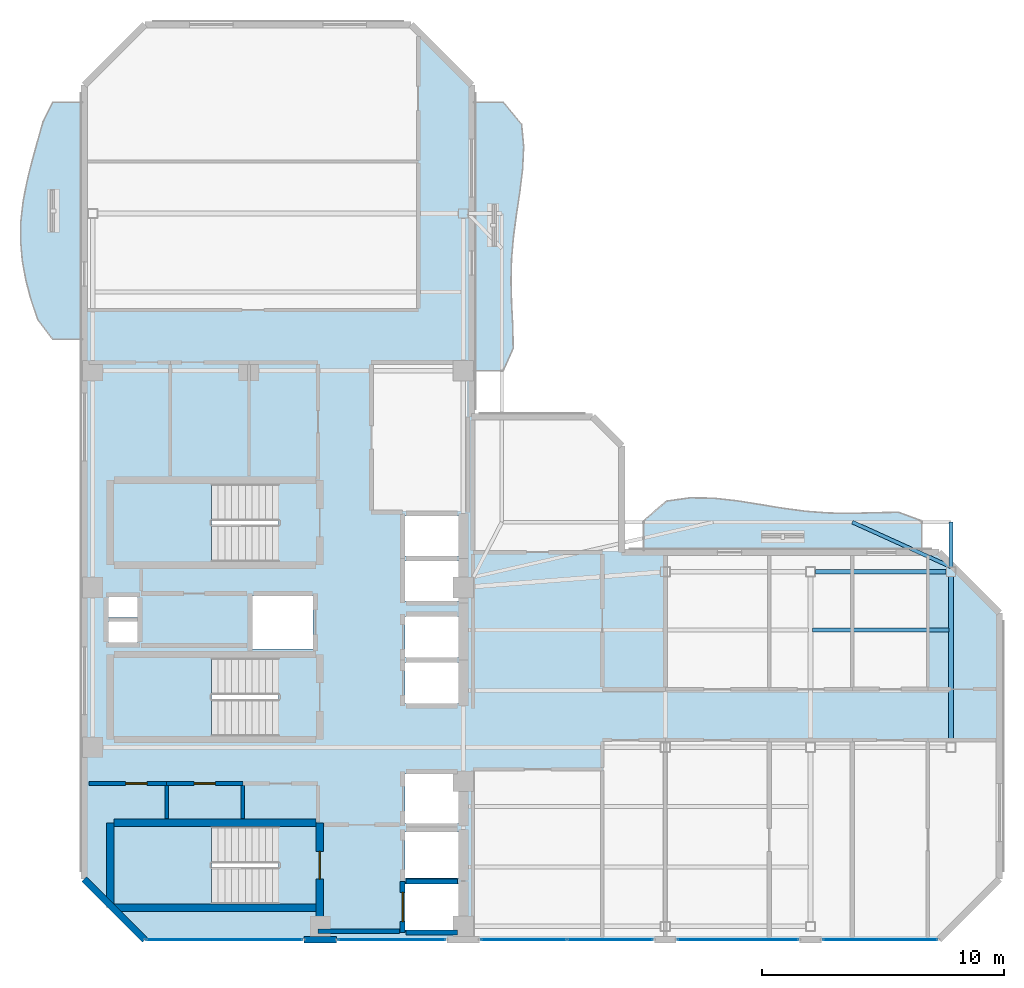
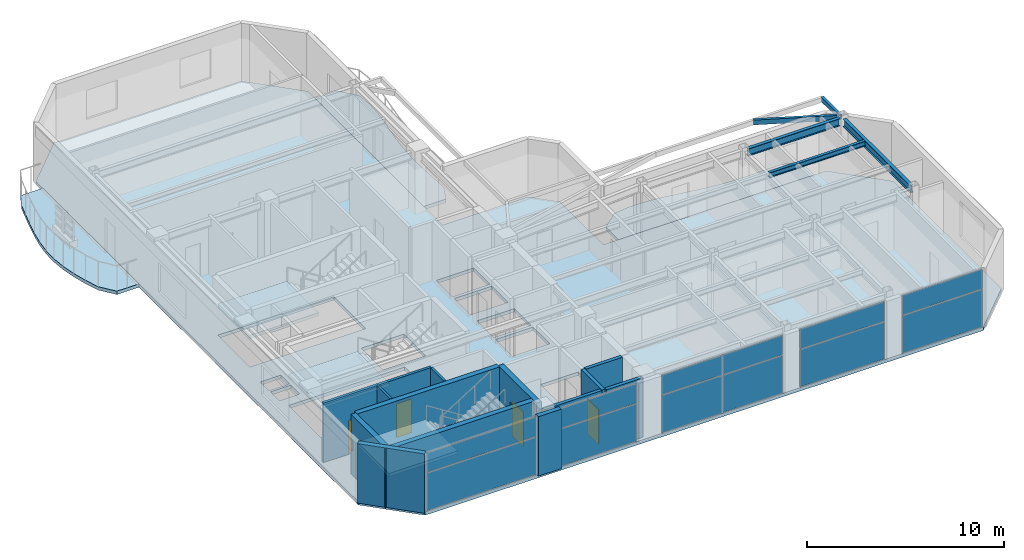
# One storey, part 8 of 15: 14 walls, 12 plates, 7 slabs, 5 beams, 4 doors, 4 openings, 8 elements without a shape of their own.
"""IFC4 building model written with IfcOpenShell, lengths in metres."""

from ifc_helpers import new_model, si_unit, direction, frame, frame_2d, origin, origin_2d, place, context, subcontext, project, spatial, polyline, rectangle, hollow_rectangle, i_section, outline, extrude, material, layer, layer_set, material_profile, profile_set, type_object, element, fill, aggregate, save


model = new_model("IFC4")

# Units and contexts
model_context = context("Model", 3, precision=1e-05, world=origin(), true_north=direction((0.0, 1.0)))
body_context = subcontext(model_context, "Body", "Model", "MODEL_VIEW")
ifc_project = project(units=[si_unit("LENGTHUNIT", "METRE"), si_unit("AREAUNIT", "SQUARE_METRE"), si_unit("VOLUMEUNIT", "CUBIC_METRE"), si_unit("PLANEANGLEUNIT", "RADIAN"), si_unit("MASSUNIT", "GRAM", prefix="KILO")], contexts=[model_context])

# Site, building, storey
site_placement = place(None, origin())
site = spatial("IfcSite", under=ifc_project, at=site_placement, CompositionType="ELEMENT")
building_placement = place(site_placement, origin())
building = spatial("IfcBuilding", under=site, at=building_placement, Name="Mawjaban Terraces University", CompositionType="ELEMENT")
storey_placement = place(building_placement, frame((0.0, 0.0, 279.39990234375)))
storey = spatial("IfcBuildingStorey", under=building, at=storey_placement, Name="L68", CompositionType="ELEMENT", Elevation=279.39990234375)

# Beams
ifc_material_1 = material(Name="Steel EN 10210-1 S355J2H", Category="steel")
ifc_material_profile_1 = material_profile(ifc_material_1, hollow_rectangle(XDim=0.14990234375, YDim=0.300048828125, WallThickness=0.012451171875, at=origin_2d()), Name="RHS300X150X12.5")
ifc_profile_set_1 = profile_set([ifc_material_profile_1], Name="Steel EN 10210-1 S355J2H")
beam_type_1 = type_object("IfcBeamType", Name="BalconyCantileverSpandrel_RHS", PredefinedType="SPANDREL", material=ifc_profile_set_1)
beam_1_placement = place(storey_placement, frame((57.800048828125, 15.39990234375, 3.5400390625), z_axis=(0.0, 1.0, 0.0), x_axis=(-1.0, 0.0, 0.0)))
element("IfcBeam", 1, at=beam_1_placement, inside=storey, type_object=beam_type_1, Name="L68 Exterior Outrigger BAL-L69-N.2", PredefinedType="SPANDREL", context=body_context, shape_type="SweptSolid", body=[
    extrude(hollow_rectangle(XDim=0.14990234375, YDim=0.300048828125, WallThickness=0.012451171875, at=origin_2d()), origin(), (0.0, 0.0, 1.0), 1.85009765625),
])
beam_2_placement = place(storey_placement, frame((57.800048828125, 15.39990234375, 3.5400390625), z_axis=(-0.910547611438, 0.413404217811, 0.0), x_axis=(-0.413404217811, -0.910547611438, 0.0)))
element("IfcBeam", 2, at=beam_2_placement, inside=storey, type_object=beam_type_1, Name="L68 Exterior Diagonal Strut BAL-L69-N.2", PredefinedType="SPANDREL", context=body_context, shape_type="SweptSolid", body=[
    extrude(hollow_rectangle(XDim=0.14990234375, YDim=0.300048828125, WallThickness=0.012451171875, at=origin_2d()), origin(), (0.0, 0.0, 1.0), 4.475341796875),
])
ifc_material_2 = material(Name="Steel ASTM A572 Grade 50", Category="steel")
ifc_material_profile_2 = material_profile(ifc_material_2, i_section(OverallWidth=0.194091796875, OverallDepth=0.468994140625, WebThickness=0.011474609375, FlangeThickness=0.0205078125, at=origin_2d()), Name="W460X106")
ifc_profile_set_2 = profile_set([ifc_material_profile_2], Name="Steel ASTM A572 Grade 50")
beam_type_2 = type_object("IfcBeamType", Name="Beam_B_W460X106", PredefinedType="BEAM", material=ifc_profile_set_2)
beam_3_placement = place(storey_placement, frame((52.199951171875, 15.199951171875, 3.455078125), z_axis=(1.0, 0.0, 0.0), x_axis=(0.0, 1.0, 0.0)))
element("IfcBeam", 3, at=beam_3_placement, inside=storey, type_object=beam_type_2, Name="L68 Beam BM-L68-EW-07", PredefinedType="BEAM", context=body_context, shape_type="SweptSolid", body=[
    extrude(i_section(OverallWidth=0.194091796875, OverallDepth=0.468994140625, WebThickness=0.011474609375, FlangeThickness=0.0205078125, at=origin_2d()), origin(), (0.0, 0.0, 1.0), 5.400146484375),
])
beam_4_placement = place(storey_placement, frame((57.800048828125, 8.14990234375, 3.455078125), z_axis=(0.0, 1.0, 0.0), x_axis=(-1.0, 0.0, 0.0)))
element("IfcBeam", 4, at=beam_4_placement, inside=storey, type_object=beam_type_2, Name="L68 Beam BM-L68-NS-12", PredefinedType="BEAM", context=body_context, shape_type="SweptSolid", body=[
    extrude(i_section(OverallWidth=0.194091796875, OverallDepth=0.468994140625, WebThickness=0.011474609375, FlangeThickness=0.0205078125, at=origin_2d()), origin(), (0.0, 0.0, 1.0), 6.85009765625),
])
ifc_material_profile_3 = material_profile(ifc_material_2, i_section(OverallWidth=0.1669921875, OverallDepth=0.318115234375, WebThickness=0.007568359375, FlangeThickness=0.01318359375, at=origin_2d()), Name="W310X52")
ifc_profile_set_3 = profile_set([ifc_material_profile_3], Name="Steel ASTM A572 Grade 50")
beam_type_3 = type_object("IfcBeamType", Name="Beam_J_W310X52", PredefinedType="JOIST", material=ifc_profile_set_3)
beam_5_placement = place(storey_placement, frame((52.080078125, 12.800048828125, 3.531005859375), z_axis=(1.0, 0.0, 0.0), x_axis=(0.0, 1.0, 0.0)))
element("IfcBeam", 5, at=beam_5_placement, inside=storey, type_object=beam_type_3, Name="L68 Composite Joist JST-L68-10", PredefinedType="JOIST", context=body_context, shape_type="SweptSolid", body=[
    extrude(i_section(OverallWidth=0.1669921875, OverallDepth=0.318115234375, WebThickness=0.007568359375, FlangeThickness=0.01318359375, at=origin_2d()), origin(), (0.0, 0.0, 1.0), 5.639892578125),
])

# Slabs
ifc_material_3 = material(Name="Concrete C40/50", Category="concrete")
ifc_layer_1 = layer(ifc_material_3, 0.2099609375)
ifc_layer_set_1 = layer_set([ifc_layer_1], Name="Concrete C40/50")
slab_type_1 = type_object("IfcSlabType", Name="BalconySlab_210_Ext", PredefinedType="FLOOR", material=ifc_layer_set_1)
slab_1_placement = place(storey_placement, frame((0.0, 0.0, -0.2099609375)))
element("IfcSlab", 6, at=slab_1_placement, inside=storey, type_object=slab_type_1, Name="L68 Planted Balcony Slab west", PredefinedType="FLOOR", context=body_context, shape_type="SweptSolid", body=[
    extrude(outline(polyline([(22.010009765625, 24.800048828125), (22.010009765625, 34.60009765625), (20.699951171875, 34.60009765625), (20.29296875, 33.782958984375), (20.06396484375, 32.967041015625), (19.839111328125, 32.14990234375), (19.635009765625, 31.3330078125), (19.47607421875, 30.51708984375), (19.381103515625, 29.699951171875), (19.366943359375, 28.883056640625), (19.43603515625, 28.06689453125), (19.5849609375, 27.25), (19.800048828125, 26.43310546875), (20.074951171875, 25.616943359375), (20.699951171875, 24.800048828125), (22.010009765625, 24.800048828125)])), origin(), (0.0, 0.0, 1.0), 0.2099609375),
])
slab_2_placement = place(storey_placement, frame((0.0, 0.0, -0.2099609375)))
element("IfcSlab", 7, at=slab_2_placement, inside=storey, type_object=slab_type_1, Name="L68 Planted Balcony Slab inner_north", PredefinedType="FLOOR", context=body_context, shape_type="SweptSolid", body=[
    extrude(outline(polyline([(45.10009765625, 15.989990234375), (56.60009765625, 15.989990234375), (56.60009765625, 17.300048828125), (55.64208984375, 17.655029296875), (54.68310546875, 17.638916015625), (53.72509765625, 17.612060546875), (52.76708984375, 17.625), (51.80810546875, 17.696044921875), (50.85009765625, 17.822998046875), (49.89208984375, 17.98095703125), (48.93310546875, 18.134033203125), (47.97509765625, 18.239013671875), (47.01708984375, 18.251953125), (46.05810546875, 18.118896484375), (45.10009765625, 17.300048828125), (45.10009765625, 15.989990234375)])), origin(), (0.0, 0.0, 1.0), 0.2099609375),
])
slab_3_placement = place(storey_placement, frame((0.0, 0.0, -0.2099609375)))
element("IfcSlab", 8, at=slab_3_placement, inside=storey, type_object=slab_type_1, Name="L68 Planted Balcony Slab inner_east", PredefinedType="FLOOR", context=body_context, shape_type="SweptSolid", body=[
    extrude(outline(polyline([(39.300048828125, 23.5), (39.714111328125, 24.425048828125), (39.697998046875, 25.35009765625), (39.64990234375, 26.27490234375), (39.6240234375, 27.199951171875), (39.64794921875, 28.125), (39.72802734375, 29.050048828125), (39.85205078125, 29.97509765625), (39.989990234375, 30.89990234375), (40.10400390625, 31.824951171875), (40.14892578125, 32.75), (40.06396484375, 33.675048828125), (39.300048828125, 34.60009765625), (37.989990234375, 34.60009765625), (37.989990234375, 23.5), (39.300048828125, 23.5)])), origin(), (0.0, 0.0, 1.0), 0.2099609375),
])
ifc_layer_2 = layer(ifc_material_3, 0.2099609375)
ifc_layer_set_2 = layer_set([ifc_layer_2], Name="Concrete C40/50")
slab_type_2 = type_object("IfcSlabType", Name="CompositeSlab_210", PredefinedType="FLOOR", material=ifc_layer_set_2)
slab_4_placement = place(storey_placement, frame((0.0, 0.0, -0.2099609375)))
element("IfcSlab", 9, at=slab_4_placement, inside=storey, type_object=slab_type_2, Name="L68 Primary Structural Slab", PredefinedType="FLOOR", context=body_context, shape_type="SweptSolid", body=[
    extrude(outline(polyline([(24.5, 0.0), (57.300048828125, 0.0), (59.800048828125, 2.5), (59.800048828125, 13.5), (57.300048828125, 16.0), (44.199951171875, 16.0), (44.199951171875, 20.39990234375), (43.0, 21.60009765625), (38.0, 21.60009765625), (38.0, 35.300048828125), (35.5, 37.800048828125), (24.5, 37.800048828125), (22.0, 35.300048828125), (22.0, 2.5), (24.5, 0.0)]), holes=[polyline([(30.014892578125, 4.699951171875), (23.199951171875, 4.699951171875), (23.199951171875, 1.449951171875), (30.014892578125, 1.449951171875), (30.014892578125, 4.699951171875)]), polyline([(30.014892578125, 18.85009765625), (23.199951171875, 18.85009765625), (23.199951171875, 15.60009765625), (30.014892578125, 15.60009765625), (30.014892578125, 18.85009765625)]), polyline([(30.014892578125, 11.64990234375), (23.199951171875, 11.64990234375), (23.199951171875, 8.39990234375), (30.014892578125, 8.39990234375), (30.014892578125, 11.64990234375)]), polyline([(35.25, 0.39990234375), (37.449951171875, 0.39990234375), (37.449951171875, 2.300048828125), (35.25, 2.300048828125), (35.25, 0.39990234375)]), polyline([(35.25, 2.550048828125), (37.449951171875, 2.550048828125), (37.449951171875, 4.449951171875), (35.25, 4.449951171875), (35.25, 2.550048828125)]), polyline([(35.25, 4.800048828125), (37.449951171875, 4.800048828125), (37.449951171875, 6.85009765625), (35.25, 6.85009765625), (35.25, 4.800048828125)]), polyline([(35.25, 9.75), (37.449951171875, 9.75), (37.449951171875, 11.449951171875), (35.25, 11.449951171875), (35.25, 9.75)]), polyline([(35.25, 11.64990234375), (37.449951171875, 11.64990234375), (37.449951171875, 13.35009765625), (35.25, 13.35009765625), (35.25, 11.64990234375)]), polyline([(28.949951171875, 12.0), (31.449951171875, 12.0), (31.449951171875, 14.199951171875), (28.949951171875, 14.199951171875), (28.949951171875, 12.0)]), polyline([(35.25, 14.0), (37.449951171875, 14.0), (37.449951171875, 15.64990234375), (35.25, 15.64990234375), (35.25, 14.0)]), polyline([(35.25, 15.85009765625), (37.449951171875, 15.85009765625), (37.449951171875, 17.5), (35.25, 17.5), (35.25, 15.85009765625)]), polyline([(23.0, 12.25), (24.199951171875, 12.25), (24.199951171875, 13.14990234375), (23.0, 13.14990234375), (23.0, 12.25)]), polyline([(23.0, 13.300048828125), (24.199951171875, 13.300048828125), (24.199951171875, 14.179931640625), (23.0, 14.179931640625), (23.0, 13.300048828125)])]), origin(), (0.0, 0.0, 1.0), 0.2099609375),
])

# Stair, slab
stair_type = type_object("IfcStairType", Name="Stair_Core1550_H39", PredefinedType="HALF_TURN_STAIR", material=ifc_material_3)
stair_1_placement = place(storey_placement, origin())
stair_1 = element("IfcStair", 10, at=stair_1_placement, inside=storey, type_object=stair_type, Name="L68 Core Exit Stair 1", PredefinedType="HALF_TURN_STAIR")
ifc_layer_3 = layer(ifc_material_3, 0.199951171875)
ifc_layer_set_3 = layer_set([ifc_layer_3], Name="Concrete C40/50")
slab_type_3 = type_object("IfcSlabType", Name="StairLandingSlab_200", PredefinedType="LANDING", material=ifc_layer_set_3)
slab_5_placement = place(storey_placement, frame((0.0, 0.0, 1.75)))
slab_5 = element("IfcSlab", 11, at=slab_5_placement, type_object=slab_type_3, Name="ST-1 landing 1", PredefinedType="LANDING", context=body_context, shape_type="SweptSolid", body=[
    extrude(outline(polyline([(27.25, 4.699951171875), (23.199951171875, 4.699951171875), (23.199951171875, 1.449951171875), (27.25, 1.449951171875), (27.25, 4.699951171875)])), origin(), (0.0, 0.0, 1.0), 0.2001953125),
])
aggregate(stair_1, [slab_5])

stair_2_placement = place(storey_placement, origin())
stair_2 = element("IfcStair", 12, at=stair_2_placement, inside=storey, type_object=stair_type, Name="L68 Core Exit Stair 2", PredefinedType="HALF_TURN_STAIR")
slab_6_placement = place(storey_placement, frame((0.0, 0.0, 1.75)))
slab_6 = element("IfcSlab", 13, at=slab_6_placement, type_object=slab_type_3, Name="ST-2 landing 1", PredefinedType="LANDING", context=body_context, shape_type="SweptSolid", body=[
    extrude(outline(polyline([(27.25, 18.85009765625), (23.199951171875, 18.85009765625), (23.199951171875, 15.60009765625), (27.25, 15.60009765625), (27.25, 18.85009765625)])), origin(), (0.0, 0.0, 1.0), 0.2001953125),
])
aggregate(stair_2, [slab_6])

stair_3_placement = place(storey_placement, origin())
stair_3 = element("IfcStair", 14, at=stair_3_placement, inside=storey, type_object=stair_type, Name="L68 Core Exit Stair 3", PredefinedType="HALF_TURN_STAIR")
slab_7_placement = place(storey_placement, frame((0.0, 0.0, 1.75)))
slab_7 = element("IfcSlab", 15, at=slab_7_placement, type_object=slab_type_3, Name="ST-3 landing 1", PredefinedType="LANDING", context=body_context, shape_type="SweptSolid", body=[
    extrude(outline(polyline([(27.25, 11.64990234375), (23.199951171875, 11.64990234375), (23.199951171875, 8.39990234375), (27.25, 8.39990234375), (27.25, 11.64990234375)])), origin(), (0.0, 0.0, 1.0), 0.2001953125),
])
aggregate(stair_3, [slab_7])

# Curtain wall, plates
ifc_material_4 = material(Name="Anodised aluminium 6063-T6 and solar-control low-E glass", Category="aluminium")
ifc_layer_4 = layer(ifc_material_4, 0.159912109375)
ifc_layer_set_4 = layer_set([ifc_layer_4], Name="Anodised aluminium 6063-T6 and solar-control low-E glass")
curtain_wall_type = type_object("IfcCurtainWallType", Name="CWSystem_03_NorthWing", PredefinedType="NOTDEFINED", material=ifc_layer_set_4)
curtain_wall_1_placement = place(storey_placement, origin())
curtain_wall_1 = element("IfcCurtainWall", 16, at=curtain_wall_1_placement, inside=storey, type_object=curtain_wall_type, Name="L68 Curtain Wall CW-03 Run 1.1", PredefinedType="NOTDEFINED")
ifc_material_5 = material(Name="Low-E solar-control double glazing", Category="glass")
ifc_layer_5 = layer(ifc_material_5, 0.028076171875)
ifc_layer_set_5 = layer_set([ifc_layer_5], Name="Low-E solar-control double glazing")
plate_type = type_object("IfcPlateType", Name="VisionPanel_CW-03", PredefinedType="CURTAIN_PANEL", material=ifc_layer_set_5)
plate_1_placement = place(storey_placement, frame((27.78759765625, 0.0, 0.06005859375), z_axis=(0.0, 0.0, 1.0), x_axis=(1.0, 0.0, 0.0)))
plate_1 = element("IfcPlate", 17, at=plate_1_placement, type_object=plate_type, Name="CW-03 panel 1.1", PredefinedType="CURTAIN_PANEL", context=body_context, shape_type="SweptSolid", body=[
    extrude(rectangle(XDim=6.445068359375, YDim=0.028076171875, at=origin_2d()), origin(), (0.0, 0.0, 1.0), 2.30810546875),
])
plate_2_placement = place(storey_placement, frame((27.78759765625, 0.0, 2.42822265625), z_axis=(0.0, 0.0, 1.0), x_axis=(1.0, 0.0, 0.0)))
plate_2 = element("IfcPlate", 18, at=plate_2_placement, type_object=plate_type, Name="CW-03 panel 1.2", PredefinedType="CURTAIN_PANEL", context=body_context, shape_type="SweptSolid", body=[
    extrude(rectangle(XDim=6.445068359375, YDim=0.028076171875, at=origin_2d()), origin(), (0.0, 0.0, 1.0), 1.201904296875),
])
aggregate(curtain_wall_1, [plate_1, plate_2])

curtain_wall_2_placement = place(storey_placement, origin())
curtain_wall_2 = element("IfcCurtainWall", 19, at=curtain_wall_2_placement, inside=storey, type_object=curtain_wall_type, Name="L68 Curtain Wall CW-03 Run 1.2", PredefinedType="NOTDEFINED")
plate_3_placement = place(storey_placement, frame((34.699951171875, 0.0, 0.06005859375), z_axis=(0.0, 0.0, 1.0), x_axis=(1.0, 0.0, 0.0)))
plate_3 = element("IfcPlate", 20, at=plate_3_placement, type_object=plate_type, Name="CW-03 panel 1.1", PredefinedType="CURTAIN_PANEL", context=body_context, shape_type="SweptSolid", body=[
    extrude(rectangle(XDim=4.419921875, YDim=0.028076171875, at=origin_2d()), origin(), (0.0, 0.0, 1.0), 2.30810546875),
])
plate_4_placement = place(storey_placement, frame((34.699951171875, 0.0, 2.42822265625), z_axis=(0.0, 0.0, 1.0), x_axis=(1.0, 0.0, 0.0)))
plate_4 = element("IfcPlate", 21, at=plate_4_placement, type_object=plate_type, Name="CW-03 panel 1.2", PredefinedType="CURTAIN_PANEL", context=body_context, shape_type="SweptSolid", body=[
    extrude(rectangle(XDim=4.419921875, YDim=0.028076171875, at=origin_2d()), origin(), (0.0, 0.0, 1.0), 1.201904296875),
])
aggregate(curtain_wall_2, [plate_3, plate_4])

curtain_wall_3_placement = place(storey_placement, origin())
curtain_wall_3 = element("IfcCurtainWall", 22, at=curtain_wall_3_placement, inside=storey, type_object=curtain_wall_type, Name="L68 Curtain Wall CW-03 Run 1.3", PredefinedType="NOTDEFINED")
plate_5_placement = place(storey_placement, frame((40.1474609375, 0.0, 0.06005859375), z_axis=(0.0, 0.0, 1.0), x_axis=(1.0, 0.0, 0.0)))
plate_5 = element("IfcPlate", 23, at=plate_5_placement, type_object=plate_type, Name="CW-03 panel 1.1", PredefinedType="CURTAIN_PANEL", context=body_context, shape_type="SweptSolid", body=[
    extrude(rectangle(XDim=3.514892578125, YDim=0.028076171875, at=origin_2d()), origin(), (0.0, 0.0, 1.0), 2.30810546875),
])
plate_6_placement = place(storey_placement, frame((40.1474609375, 0.0, 2.42822265625), z_axis=(0.0, 0.0, 1.0), x_axis=(1.0, 0.0, 0.0)))
plate_6 = element("IfcPlate", 24, at=plate_6_placement, type_object=plate_type, Name="CW-03 panel 1.2", PredefinedType="CURTAIN_PANEL", context=body_context, shape_type="SweptSolid", body=[
    extrude(rectangle(XDim=3.514892578125, YDim=0.028076171875, at=origin_2d()), origin(), (0.0, 0.0, 1.0), 1.201904296875),
])
plate_7_placement = place(storey_placement, frame((43.7275390625, 0.0, 0.06005859375), z_axis=(0.0, 0.0, 1.0), x_axis=(1.0, 0.0, 0.0)))
plate_7 = element("IfcPlate", 25, at=plate_7_placement, type_object=plate_type, Name="CW-03 panel 2.1", PredefinedType="CURTAIN_PANEL", context=body_context, shape_type="SweptSolid", body=[
    extrude(rectangle(XDim=3.514892578125, YDim=0.028076171875, at=origin_2d()), origin(), (0.0, 0.0, 1.0), 2.30810546875),
])
plate_8_placement = place(storey_placement, frame((43.7275390625, 0.0, 2.42822265625), z_axis=(0.0, 0.0, 1.0), x_axis=(1.0, 0.0, 0.0)))
plate_8 = element("IfcPlate", 26, at=plate_8_placement, type_object=plate_type, Name="CW-03 panel 2.2", PredefinedType="CURTAIN_PANEL", context=body_context, shape_type="SweptSolid", body=[
    extrude(rectangle(XDim=3.514892578125, YDim=0.028076171875, at=origin_2d()), origin(), (0.0, 0.0, 1.0), 1.201904296875),
])
aggregate(curtain_wall_3, [plate_5, plate_6, plate_7, plate_8])

curtain_wall_4_placement = place(storey_placement, origin())
curtain_wall_4 = element("IfcCurtainWall", 27, at=curtain_wall_4_placement, inside=storey, type_object=curtain_wall_type, Name="L68 Curtain Wall CW-03 Run 1.4", PredefinedType="NOTDEFINED")
plate_9_placement = place(storey_placement, frame((49.0, 0.0, 0.06005859375), z_axis=(0.0, 0.0, 1.0), x_axis=(1.0, 0.0, 0.0)))
plate_9 = element("IfcPlate", 28, at=plate_9_placement, type_object=plate_type, Name="CW-03 panel 1.1", PredefinedType="CURTAIN_PANEL", context=body_context, shape_type="SweptSolid", body=[
    extrude(rectangle(XDim=4.969970703125, YDim=0.028076171875, at=origin_2d()), origin(), (0.0, 0.0, 1.0), 2.30810546875),
])
plate_10_placement = place(storey_placement, frame((49.0, 0.0, 2.42822265625), z_axis=(0.0, 0.0, 1.0), x_axis=(1.0, 0.0, 0.0)))
plate_10 = element("IfcPlate", 29, at=plate_10_placement, type_object=plate_type, Name="CW-03 panel 1.2", PredefinedType="CURTAIN_PANEL", context=body_context, shape_type="SweptSolid", body=[
    extrude(rectangle(XDim=4.969970703125, YDim=0.028076171875, at=origin_2d()), origin(), (0.0, 0.0, 1.0), 1.201904296875),
])
aggregate(curtain_wall_4, [plate_9, plate_10])

curtain_wall_5_placement = place(storey_placement, origin())
curtain_wall_5 = element("IfcCurtainWall", 30, at=curtain_wall_5_placement, inside=storey, type_object=curtain_wall_type, Name="L68 Curtain Wall CW-03 Run 1.5", PredefinedType="NOTDEFINED")
plate_11_placement = place(storey_placement, frame((54.875, 0.0, 0.06005859375), z_axis=(0.0, 0.0, 1.0), x_axis=(1.0, 0.0, 0.0)))
plate_11 = element("IfcPlate", 31, at=plate_11_placement, type_object=plate_type, Name="CW-03 panel 1.1", PredefinedType="CURTAIN_PANEL", context=body_context, shape_type="SweptSolid", body=[
    extrude(rectangle(XDim=4.719970703125, YDim=0.028076171875, at=origin_2d()), origin(), (0.0, 0.0, 1.0), 2.30810546875),
])
plate_12_placement = place(storey_placement, frame((54.875, 0.0, 2.42822265625), z_axis=(0.0, 0.0, 1.0), x_axis=(1.0, 0.0, 0.0)))
plate_12 = element("IfcPlate", 32, at=plate_12_placement, type_object=plate_type, Name="CW-03 panel 1.2", PredefinedType="CURTAIN_PANEL", context=body_context, shape_type="SweptSolid", body=[
    extrude(rectangle(XDim=4.719970703125, YDim=0.028076171875, at=origin_2d()), origin(), (0.0, 0.0, 1.0), 1.201904296875),
])
aggregate(curtain_wall_5, [plate_11, plate_12])

# Wall, opening, door
ifc_material_6 = material(Name="Fire-rated gypsum board on steel stud", Category="steel")
ifc_layer_6 = layer(ifc_material_6, 0.159912109375)
ifc_layer_set_6 = layer_set([ifc_layer_6], Name="Fire-rated gypsum board on steel stud")
wall_type_1 = type_object("IfcWallType", Name="CorridorPartition_160", PredefinedType="PARTITIONING", material=ifc_layer_set_6)
wall_1_placement = place(storey_placement, frame((22.199951171875, 6.449951171875, 0.0), z_axis=(0.0, 0.0, 1.0), x_axis=(1.0, 0.0, 0.0)))
wall_1 = element("IfcWall", 33, at=wall_1_placement, inside=storey, type_object=wall_type_1, Name="L68 Core Washroom Lobby Partition 1", PredefinedType="PARTITIONING", context=body_context, shape_type="SweptSolid", body=[
    extrude(rectangle(XDim=3.199951171875, YDim=0.159912109375, at=frame_2d((1.60009765625, 0.0))), origin(), (0.0, 0.0, 1.0), 3.690185546875),
])
opening_1_placement = place(wall_1_placement, frame((1.510009765625, 0.0, 0.0)))
opening_1 = element("IfcOpeningElement", 34, at=opening_1_placement, cuts=wall_1, Name="Opening ID-088", PredefinedType="OPENING", context=body_context, shape_type="SweptSolid", body=[
    extrude(rectangle(XDim=0.8798828125, YDim=2.10009765625, at=frame_2d((0.43994140625, 1.050048828125))), frame((0.0, 0.08984375, 0.0), z_axis=(0.0, -1.0, 0.0), x_axis=(1.0, 0.0, 0.0)), (0.0, 0.0, 1.0), 0.179931640625),
])
ifc_material_7 = material(Name="Powder-coated steel frame and solid acoustic timber leaf", Category="steel")
door_type_1 = type_object("IfcDoorType", Name="ToiletDoor_880x2100", OperationType="NOTDEFINED", PredefinedType="DOOR", material=ifc_material_7)
door_1_placement = place(opening_1_placement, origin())
door_1 = element("IfcDoor", 35, at=door_1_placement, inside=storey, type_object=door_type_1, Name="L68 Male Toilet Door", OperationType="SINGLE_SWING_RIGHT", OverallHeight=2.10009765625, OverallWidth=0.8798828125, PredefinedType="DOOR", context=body_context, shape_type="SweptSolid", body=[
    extrude(rectangle(XDim=0.8798828125, YDim=2.10009765625, at=frame_2d((0.43994140625, 1.050048828125))), frame((0.0, 0.02490234375, 0.0), z_axis=(0.0, -1.0, 0.0), x_axis=(1.0, 0.0, 0.0)), (0.0, 0.0, 1.0), 0.050048828125),
])
fill(opening_1, door_1)

wall_2_placement = place(storey_placement, frame((25.39990234375, 6.449951171875, 0.0), z_axis=(0.0, 0.0, 1.0), x_axis=(1.0, 0.0, 0.0)))
wall_2 = element("IfcWall", 36, at=wall_2_placement, inside=storey, type_object=wall_type_1, Name="L68 Core Washroom Lobby Partition 4", PredefinedType="PARTITIONING", context=body_context, shape_type="SweptSolid", body=[
    extrude(rectangle(XDim=3.150146484375, YDim=0.159912109375, at=frame_2d((1.5751953125, 0.0))), origin(), (0.0, 0.0, 1.0), 3.690185546875),
])
opening_2_placement = place(wall_2_placement, frame((1.135009765625, 0.0, 0.0)))
opening_2 = element("IfcOpeningElement", 37, at=opening_2_placement, cuts=wall_2, Name="Opening ID-088", PredefinedType="OPENING", context=body_context, shape_type="SweptSolid", body=[
    extrude(rectangle(XDim=0.8798828125, YDim=2.10009765625, at=frame_2d((0.43994140625, 1.050048828125))), frame((0.0, 0.08984375, 0.0), z_axis=(0.0, -1.0, 0.0), x_axis=(1.0, 0.0, 0.0)), (0.0, 0.0, 1.0), 0.179931640625),
])
door_2_placement = place(opening_2_placement, origin())
door_2 = element("IfcDoor", 38, at=door_2_placement, inside=storey, type_object=door_type_1, Name="L68 Female Toilet Door", OperationType="SINGLE_SWING_LEFT", OverallHeight=2.10009765625, OverallWidth=0.8798828125, PredefinedType="DOOR", context=body_context, shape_type="SweptSolid", body=[
    extrude(rectangle(XDim=0.8798828125, YDim=2.10009765625, at=frame_2d((0.43994140625, 1.050048828125))), frame((0.0, 0.02490234375, 0.0), z_axis=(0.0, -1.0, 0.0), x_axis=(1.0, 0.0, 0.0)), (0.0, 0.0, 1.0), 0.050048828125),
])
fill(opening_2, door_2)

# Walls
ifc_material_8 = material(Name="Insulated terracotta rainscreen on concrete backup C40/50", Category="masonry")
ifc_layer_7 = layer(ifc_material_8, 0.27490234375)
ifc_layer_set_7 = layer_set([ifc_layer_7], Name="Insulated terracotta rainscreen on concrete backup C40/50")
wall_type_2 = type_object("IfcWallType", Name="ExtTerracottaWall_275", PredefinedType="SOLIDWALL", material=ifc_layer_set_7)
wall_3_placement = place(storey_placement, frame((31.074951171875, 0.0, 0.0), z_axis=(0.0, 0.0, 1.0), x_axis=(1.0, 0.0, 0.0)))
element("IfcWall", 39, at=wall_3_placement, inside=storey, type_object=wall_type_2, Name="L68 Exterior Terracotta Pier Wall 1.1", PredefinedType="SOLIDWALL", context=body_context, shape_type="SweptSolid", body=[
    extrude(rectangle(XDim=1.35009765625, YDim=0.27490234375, at=frame_2d((0.675048828125, 0.0))), origin(), (0.0, 0.0, 1.0), 3.690185546875),
])
wall_4_placement = place(storey_placement, frame((22.0, 2.5, 0.0), z_axis=(0.0, 0.0, 1.0), x_axis=(0.707106781187, -0.707106781187, 0.0)))
element("IfcWall", 40, at=wall_4_placement, inside=storey, type_object=wall_type_2, Name="L68 Exterior Terracotta Wall 14", PredefinedType="SOLIDWALL", context=body_context, shape_type="SweptSolid", body=[
    extrude(rectangle(XDim=3.53564453125, YDim=0.27490234375, at=frame_2d((1.767822265625, 0.0))), origin(), (0.0, 0.0, 1.0), 3.690185546875),
])

# Wall, opening, door
ifc_layer_8 = layer(ifc_material_3, 0.199951171875)
ifc_layer_set_8 = layer_set([ifc_layer_8], Name="Concrete C40/50")
wall_type_3 = type_object("IfcWallType", Name="FireLobbyWall_200", PredefinedType="SOLIDWALL", material=ifc_layer_set_8)
wall_5_placement = place(storey_placement, frame((35.14990234375, 2.39990234375, 0.0), z_axis=(0.0, 0.0, 1.0), x_axis=(0.0, -1.0, 0.0)))
wall_5 = element("IfcWall", 41, at=wall_5_placement, inside=storey, type_object=wall_type_3, Name="L68 Lift FL-1 Hoistway Wall West", PredefinedType="SOLIDWALL", context=body_context, shape_type="SweptSolid", body=[
    extrude(rectangle(XDim=2.099853515625, YDim=0.199951171875, at=frame_2d((1.0498046875, 0.0))), origin(), (0.0, 0.0, 1.0), 3.690185546875),
])
opening_3_placement = place(wall_5_placement, frame((0.449951171875, 0.0, 0.0)))
opening_3 = element("IfcOpeningElement", 42, at=opening_3_placement, cuts=wall_5, Name="Opening LD-FL-1", PredefinedType="OPENING", context=body_context, shape_type="SweptSolid", body=[
    extrude(rectangle(XDim=1.199951171875, YDim=2.14990234375, at=frame_2d((0.60009765625, 1.074951171875))), frame((0.0, 0.10986328125, 0.0), z_axis=(0.0, -1.0, 0.0), x_axis=(1.0, 0.0, 0.0)), (0.0, 0.0, 1.0), 0.219970703125),
])
ifc_material_9 = material(Name="Powder-coated steel frame and fire-rated steel-faced leaf", Category="steel")
door_type_2 = type_object("IfcDoorType", Name="LiftLandingFSAE_1200x2150", OperationType="NOTDEFINED", PredefinedType="DOOR", material=ifc_material_9)
door_3_placement = place(opening_3_placement, origin())
door_3 = element("IfcDoor", 43, at=door_3_placement, inside=storey, type_object=door_type_2, Name="L68 Lift FL-1 Sliding Landing Door", OperationType="DOUBLE_DOOR_SLIDING", OverallHeight=2.14990234375, OverallWidth=1.199951171875, PredefinedType="DOOR", context=body_context, shape_type="SweptSolid", body=[
    extrude(rectangle(XDim=1.199951171875, YDim=2.14990234375, at=frame_2d((0.60009765625, 1.074951171875))), frame((0.0, 0.02490234375, 0.0), z_axis=(0.0, -1.0, 0.0), x_axis=(1.0, 0.0, 0.0)), (0.0, 0.0, 1.0), 0.050048828125),
])
fill(opening_3, door_3)

# Walls
for number, where, z_axis, x_axis, name in (
    (44, (35.280029296875, 0.300048828125, 0.0), (0.0, 0.0, 1.0), (1.0, 0.0, 0.0), "L68 Lift FL-1 Hoistway Wall South"),
    (45, (37.419921875, 2.39990234375, 0.0), (0.0, 0.0, 1.0), (-1.0, 0.0, 0.0), "L68 Lift FL-1 Hoistway Wall North"),
):
    element("IfcWall", number, at=place(storey_placement, frame(where, z_axis=z_axis, x_axis=x_axis)), inside=storey, type_object=wall_type_3, Name=name, PredefinedType="SOLIDWALL", context=body_context, shape_type="SweptSolid", body=[
        extrude(rectangle(XDim=2.139892578125, YDim=0.199951171875, at=frame_2d((1.06982421875, 0.0))), origin(), (0.0, 0.0, 1.0), 3.690185546875),
    ])
wall_6_placement = place(storey_placement, frame((31.64990234375, 0.35009765625, 0.0), z_axis=(0.0, 0.0, 1.0), x_axis=(1.0, 0.0, 0.0)))
element("IfcWall", 46, at=wall_6_placement, inside=storey, type_object=wall_type_3, Name="L68 Firefighting Lift Lobby Partition 8", PredefinedType="SOLIDWALL", context=body_context, shape_type="SweptSolid", body=[
    extrude(rectangle(XDim=3.3701171875, YDim=0.199951171875, at=frame_2d((1.68505859375, 0.0))), origin(), (0.0, 0.0, 1.0), 3.690185546875),
])
ifc_material_10 = material(Name="Concrete C60/75", Category="concrete")
ifc_layer_9 = layer(ifc_material_10, 0.300048828125)
ifc_layer_set_9 = layer_set([ifc_layer_9], Name="Concrete C60/75")
wall_type_4 = type_object("IfcWallType", Name="StairShaftWall_300", PredefinedType="SHEAR", material=ifc_layer_set_9)
wall_7_placement = place(storey_placement, frame((31.580078125, 4.830078125, 0.0), z_axis=(0.0, 0.0, 1.0), x_axis=(-1.0, 0.0, 0.0)))
element("IfcWall", 47, at=wall_7_placement, inside=storey, type_object=wall_type_4, Name="L68 ST-1 Stair Shaft Wall 1", PredefinedType="SHEAR", context=body_context, shape_type="SweptSolid", body=[
    extrude(rectangle(XDim=8.360107421875, YDim=0.300048828125, at=frame_2d((4.18017578125, 0.0))), origin(), (0.0, 0.0, 1.0), 3.690185546875),
])
wall_8_placement = place(storey_placement, frame((23.070068359375, 4.830078125, 0.0), z_axis=(0.0, 0.0, 1.0), x_axis=(0.0, -1.0, 0.0)))
element("IfcWall", 48, at=wall_8_placement, inside=storey, type_object=wall_type_4, Name="L68 ST-1 Stair Shaft Wall 2", PredefinedType="SHEAR", context=body_context, shape_type="SweptSolid", body=[
    extrude(rectangle(XDim=3.510009765625, YDim=0.300048828125, at=frame_2d((1.7548828125, 0.0))), origin(), (0.0, 0.0, 1.0), 3.690185546875),
])
wall_9_placement = place(storey_placement, frame((23.219970703125, 1.320068359375, 0.0), z_axis=(0.0, 0.0, 1.0), x_axis=(1.0, 0.0, 0.0)))
element("IfcWall", 49, at=wall_9_placement, inside=storey, type_object=wall_type_4, Name="L68 ST-1 Stair Shaft Wall 3", PredefinedType="SHEAR", context=body_context, shape_type="SweptSolid", body=[
    extrude(rectangle(XDim=8.360107421875, YDim=0.300048828125, at=frame_2d((4.18017578125, 0.0))), origin(), (0.0, 0.0, 1.0), 3.690185546875),
])

# Wall, opening, door
wall_10_placement = place(storey_placement, frame((31.72998046875, 0.9599609375, 0.0), z_axis=(0.0, 0.0, 1.0), x_axis=(0.0, 1.0, 0.0)))
wall_10 = element("IfcWall", 50, at=wall_10_placement, inside=storey, type_object=wall_type_4, Name="L68 ST-1 Stair Shaft Wall 4", PredefinedType="SHEAR", context=body_context, shape_type="SweptSolid", body=[
    extrude(rectangle(XDim=3.8701171875, YDim=0.300048828125, at=frame_2d((1.93505859375, 0.0))), origin(), (0.0, 0.0, 1.0), 3.690185546875),
])
opening_4_placement = place(wall_10_placement, frame((1.5400390625, 0.0, 0.0)))
opening_4 = element("IfcOpeningElement", 51, at=opening_4_placement, cuts=wall_10, Name="Opening FD-115", PredefinedType="OPENING", context=body_context, shape_type="SweptSolid", body=[
    extrude(rectangle(XDim=1.14990234375, YDim=2.14990234375, at=frame_2d((0.574951171875, 1.074951171875))), frame((0.0, 0.159912109375, 0.0), z_axis=(0.0, -1.0, 0.0), x_axis=(1.0, 0.0, 0.0)), (0.0, 0.0, 1.0), 0.320068359375),
])
door_type_3 = type_object("IfcDoorType", Name="FireStairDoor_1150x2150", OperationType="NOTDEFINED", PredefinedType="DOOR", material=ifc_material_9)
door_4_placement = place(opening_4_placement, origin())
door_4 = element("IfcDoor", 52, at=door_4_placement, inside=storey, type_object=door_type_3, Name="L68 ST-1 Pressurised Stair Fire Door", OperationType="SINGLE_SWING_RIGHT", OverallHeight=2.14990234375, OverallWidth=1.14990234375, PredefinedType="DOOR", context=body_context, shape_type="SweptSolid", body=[
    extrude(rectangle(XDim=1.14990234375, YDim=2.14990234375, at=frame_2d((0.574951171875, 1.074951171875))), frame((0.0, 0.02490234375, 0.0), z_axis=(0.0, -1.0, 0.0), x_axis=(1.0, 0.0, 0.0)), (0.0, 0.0, 1.0), 0.050048828125),
])
fill(opening_4, door_4)

# Walls
ifc_material_11 = material(Name="Cement-board wet-room partition", Category="masonry")
ifc_layer_10 = layer(ifc_material_11, 0.135009765625)
ifc_layer_set_10 = layer_set([ifc_layer_10], Name="Cement-board wet-room partition")
wall_type_5 = type_object("IfcWallType", Name="WetRoomPartition_135", PredefinedType="PARTITIONING", material=ifc_layer_set_10)
for number, where, z_axis, x_axis, name in (
    (53, (25.39990234375, 5.010009765625, 0.0), (0.0, 0.0, 1.0), (0.0, 1.0, 0.0), "L68 Male Toilet Partition 28"),
    (54, (28.550048828125, 5.010009765625, 0.0), (0.0, 0.0, 1.0), (0.0, 1.0, 0.0), "L68 Female Toilet Partition 30"),
):
    element("IfcWall", number, at=place(storey_placement, frame(where, z_axis=z_axis, x_axis=x_axis)), inside=storey, type_object=wall_type_5, Name=name, PredefinedType="PARTITIONING", context=body_context, shape_type="SweptSolid", body=[
        extrude(rectangle(XDim=1.364990234375, YDim=0.135009765625, at=frame_2d((0.6826171875, 0.0))), origin(), (0.0, 0.0, 1.0), 3.690185546875),
    ])

save(model, "model.ifc")
